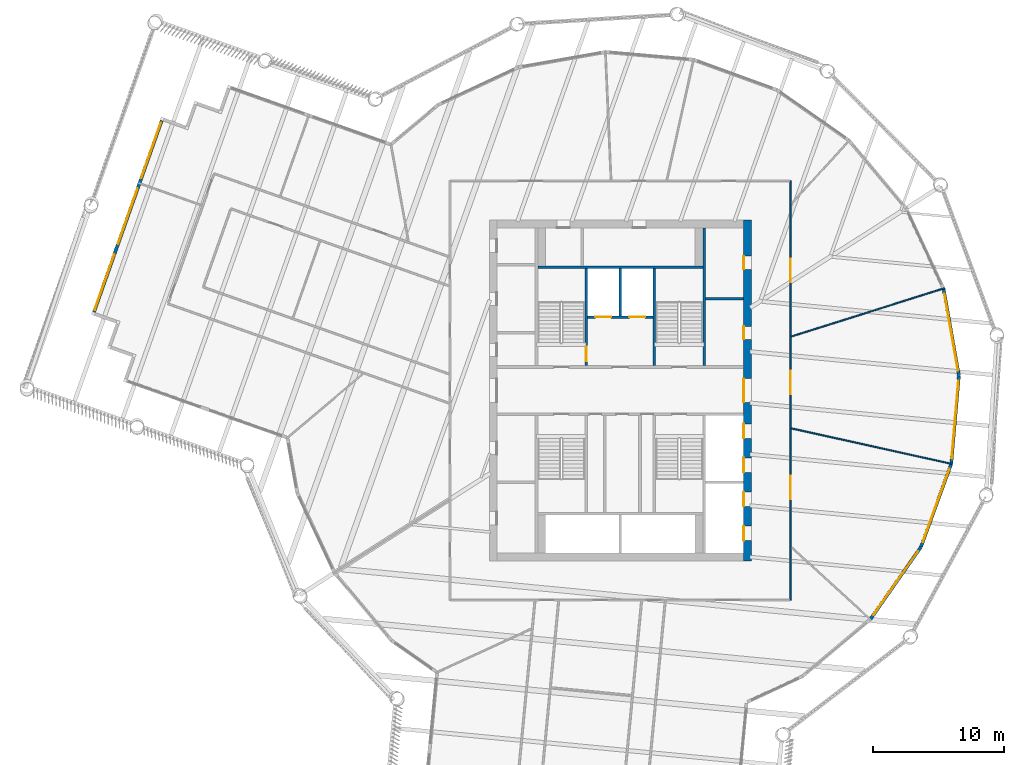
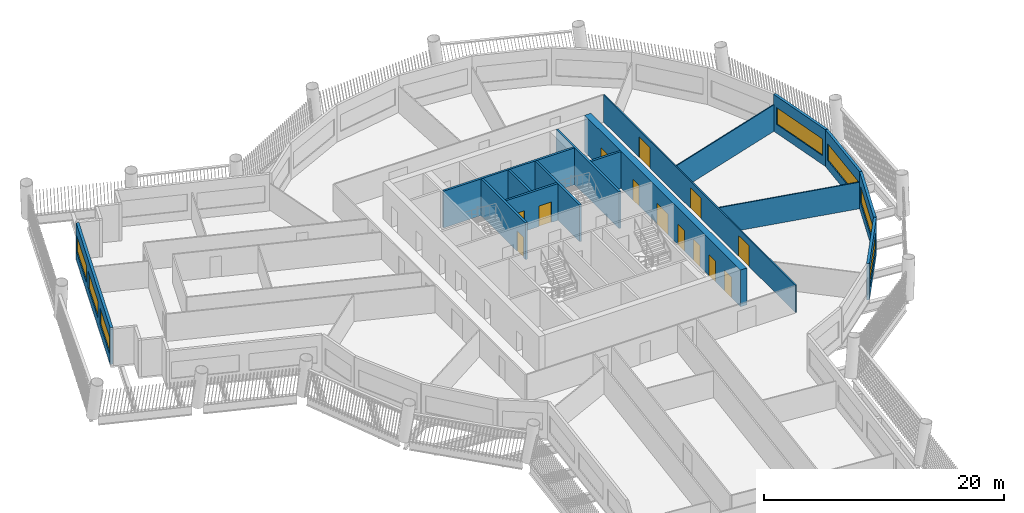
# One storey, part 5 of 15: 16 walls, 13 doors, 7 windows, 20 openings.
"""IFC4 building model written with IfcOpenShell, lengths in metres."""

import ifcopenshell
import ifcopenshell.guid

model = None  # the IFC model being written
_history = None  # IfcOwnerHistory: only IFC2X3 demands one
_inside = {}  # id of a spatial element -> (the spatial element, [elements in it])
_under = {}  # id of a project, library or spatial element -> (it, [spatial elements below it])
_declared = {}  # id of a project -> (the project, [libraries it declares])
_typed = {}  # id of a type object -> (the type object, [elements of that type])
_made_of = {}  # id of a material, layer set ... -> (it, [elements and type objects made of it])


def new_model(schema):
    """Start an empty IFC model of exactly this schema.

    Asked for "IFC4X3", IfcOpenShell would pick the latest addendum, in which some entities
    have other attributes; the version numbers below select the first issue.
    IFC2X3 requires an IfcOwnerHistory on every rooted entity: one is made here for all.
    """
    global model, _history
    if schema == "IFC4X3":
        model = ifcopenshell.file(schema_version=(4, 3, 0, 0))
    else:
        model = ifcopenshell.file(schema=schema)
    _inside.clear()
    _under.clear()
    _declared.clear()
    _typed.clear()
    _made_of.clear()
    _history = None
    if model.schema == "IFC2X3":
        org = make("IfcOrganization", Name="unknown")
        user = make(
            "IfcPersonAndOrganization",
            ThePerson=make("IfcPerson", FamilyName="unknown"),
            TheOrganization=org,
        )
        app = make(
            "IfcApplication",
            ApplicationDeveloper=org,
            Version="unknown",
            ApplicationFullName="unknown",
            ApplicationIdentifier="unknown",
        )
        _history = make(
            "IfcOwnerHistory",
            OwningUser=user,
            OwningApplication=app,
            ChangeAction="ADDED",
            CreationDate=0,
        )
    return model


def make(cls, **values):
    """One entity of the class cls with the attributes given. An attribute that is None is left unset."""
    return model.create_entity(
        cls, **{name: value for name, value in values.items() if value is not None}
    )


def rooted(cls, **values):
    """An entity with a GlobalId (a new one), such as an element, a storey or a relation."""
    return make(cls, GlobalId=ifcopenshell.guid.new(), OwnerHistory=_history, **values)


def si_unit(unit_type, name, prefix=None):
    """IfcSIUnit, for example si_unit("LENGTHUNIT", "METRE", prefix="MILLI")."""
    return make("IfcSIUnit", UnitType=unit_type, Prefix=prefix, Name=name)


def assignment(units):
    """IfcUnitAssignment: the units of a project."""
    return None if units is None else make("IfcUnitAssignment", Units=units)


def point(xyz):
    """IfcCartesianPoint."""
    return None if xyz is None else make("IfcCartesianPoint", Coordinates=xyz)


def direction(xyz):
    """IfcDirection."""
    return None if xyz is None else make("IfcDirection", DirectionRatios=xyz)


def frame(location, z_axis=None, x_axis=None):
    """IfcAxis2Placement3D, a coordinate frame: its origin and axes. An axis left out is left unset."""
    return make(
        "IfcAxis2Placement3D",
        Location=point(location),
        Axis=direction(z_axis),
        RefDirection=direction(x_axis),
    )


def frame_2d(location, x_axis=None):
    """IfcAxis2Placement2D, a coordinate frame in the plane: its origin and x axis."""
    return make(
        "IfcAxis2Placement2D", Location=point(location), RefDirection=direction(x_axis)
    )


def origin():
    """The frame at (0, 0, 0) with its axes left unset."""
    return frame((0.0, 0.0, 0.0))


def place(relative_to, where):
    """IfcLocalPlacement: puts the frame where relative to a parent placement (None: the world)."""
    return make(
        "IfcLocalPlacement", PlacementRelTo=relative_to, RelativePlacement=where
    )


def context(
    kind, dimensions, precision=None, world=None, true_north=None, identifier=None
):
    """IfcGeometricRepresentationContext, for example the 3D "Model" context."""
    return make(
        "IfcGeometricRepresentationContext",
        ContextIdentifier=identifier,
        ContextType=kind,
        CoordinateSpaceDimension=dimensions,
        Precision=precision,
        WorldCoordinateSystem=world,
        TrueNorth=true_north,
    )


def subcontext(parent, identifier, kind, view, scale=None):
    """IfcGeometricRepresentationSubContext, for example "Body" below "Model"."""
    return make(
        "IfcGeometricRepresentationSubContext",
        ContextIdentifier=identifier,
        ContextType=kind,
        ParentContext=parent,
        TargetScale=scale,
        TargetView=view,
    )


def project(units=None, contexts=None):
    """IfcProject with its units and contexts."""
    return rooted(
        "IfcProject",
        Name="project",
        RepresentationContexts=contexts,
        UnitsInContext=assignment(units),
    )


def spatial(cls, under=None, at=None, **own):
    """A site, building, storey or space (cls), placed at a placement, below another one or the project."""
    s = rooted(cls, ObjectPlacement=at, **own)
    if under is not None:
        _under.setdefault(under.id(), (under, []))[1].append(s)
    return s


def profile(cls, at=None, kind="AREA", **sizes):
    """A parametric profile (cls). Its sizes go by their IFC names, for example OverallWidth=200.0."""
    return make(cls, ProfileType=kind, Position=at, **sizes)


def rectangle(**sizes):
    """IfcRectangleProfileDef."""
    return profile("IfcRectangleProfileDef", **sizes)


def extrude(swept, where, along, depth):
    """IfcExtrudedAreaSolid: the profile swept, set in the frame where, extruded along a direction by depth."""
    return make(
        "IfcExtrudedAreaSolid",
        SweptArea=swept,
        Position=where,
        ExtrudedDirection=direction(along),
        Depth=depth,
    )


def shape(context_of_items, identifier, shape_type, items):
    """IfcShapeRepresentation: the items that make up one representation, for example the "Body"."""
    return make(
        "IfcShapeRepresentation",
        ContextOfItems=context_of_items,
        RepresentationIdentifier=identifier,
        RepresentationType=shape_type,
        Items=items,
    )


def material(Name=None, Category=None):
    """IfcMaterial."""
    return make("IfcMaterial", Name=Name, Category=Category)


def layer(
    of_material, thickness, ventilated=None, Name=None, Category=None, Priority=None
):
    """IfcMaterialLayer: one layer of a wall or slab, of a material (None: an air gap)."""
    return make(
        "IfcMaterialLayer",
        Material=of_material,
        LayerThickness=thickness,
        IsVentilated=ventilated,
        Name=Name,
        Category=Category,
        Priority=Priority,
    )


def layer_set(layers, Name=None):
    """IfcMaterialLayerSet."""
    return make("IfcMaterialLayerSet", MaterialLayers=layers, LayerSetName=Name)


def made_of(thing, what):
    """Note that an element or type object is made of a material, layer set ...; save() writes the relation."""
    if what is not None:
        _made_of.setdefault(what.id(), (what, []))[1].append(thing)
    return thing


def type_object(cls, material=None, **own):
    """A type object (cls), such as IfcWallType, which elements share."""
    return made_of(rooted(cls, **own), material)


def element(
    cls,
    number,
    at=None,
    inside=None,
    cuts=None,
    type_object=None,
    material=None,
    context=None,
    identifier="Body",
    shape_type=None,
    held_by="IfcProductDefinitionShape",
    body=None,
    shapes=None,
    **own,
):
    """One element of the class cls, such as IfcWall. Its Tag is "e" and its number.

    at: its placement. inside: the storey or other place that contains it. cuts: it is an
    opening in that element (IfcRelVoidsElement). A single representation is given by context,
    identifier, shape_type and body (its items); several are given by shapes. held_by: the class
    of the entity that holds the representations. save() writes the other relations.
    """
    e = rooted(cls, Tag="e%d" % number, ObjectPlacement=at, **own)
    if body is not None:
        shapes = [shape(context, identifier, shape_type, body)]
    if shapes is not None:
        e.Representation = make(held_by, Representations=shapes)
    if inside is not None:
        _inside.setdefault(inside.id(), (inside, []))[1].append(e)
    if cuts is not None:
        rooted(
            "IfcRelVoidsElement", RelatingBuildingElement=cuts, RelatedOpeningElement=e
        )
    if type_object is not None:
        _typed.setdefault(type_object.id(), (type_object, []))[1].append(e)
    return made_of(e, material)


def fill(opening, filler):
    """IfcRelFillsElement: the door or window that sits in an opening."""
    return rooted(
        "IfcRelFillsElement",
        RelatingOpeningElement=opening,
        RelatedBuildingElement=filler,
    )


def aggregate(whole, parts):
    """IfcRelAggregates: a whole, such as a stair, and the parts it consists of."""
    return rooted("IfcRelAggregates", RelatingObject=whole, RelatedObjects=parts)


def save(model, path):
    """Write the relations noted so far, then the file.

    IfcRelAggregates (storeys below a building ...), IfcRelContainedInSpatialStructure (elements
    in a storey), IfcRelDefinesByType, IfcRelAssociatesMaterial and IfcRelDeclares: one each for
    every whole, place, type object, material and project.
    """
    for whole, parts in _under.values():
        aggregate(whole, parts)
    for where, things in _inside.values():
        rooted(
            "IfcRelContainedInSpatialStructure",
            RelatedElements=things,
            RelatingStructure=where,
        )
    for kind, things in _typed.values():
        rooted("IfcRelDefinesByType", RelatedObjects=things, RelatingType=kind)
    for what, things in _made_of.values():
        rooted("IfcRelAssociatesMaterial", RelatedObjects=things, RelatingMaterial=what)
    for by, libraries in _declared.values():
        rooted("IfcRelDeclares", RelatingContext=by, RelatedDefinitions=libraries)
    model.write(path)


model = new_model("IFC4")

# Units and contexts
model_context = context("Model", 3, precision=1e-05, world=origin(), true_north=direction((0.0, 1.0)))
body_context = subcontext(model_context, "Body", "Model", "MODEL_VIEW")
ifc_project = project(units=[si_unit("LENGTHUNIT", "METRE"), si_unit("AREAUNIT", "SQUARE_METRE"), si_unit("VOLUMEUNIT", "CUBIC_METRE"), si_unit("PLANEANGLEUNIT", "RADIAN"), si_unit("MASSUNIT", "GRAM", prefix="KILO")], contexts=[model_context])

# Site, building, storey
site_placement = place(None, origin())
site = spatial("IfcSite", under=ifc_project, at=site_placement, CompositionType="ELEMENT")
building_placement = place(site_placement, origin())
building = spatial("IfcBuilding", under=site, at=building_placement, Name="Tarsis Ring Headquarters", CompositionType="ELEMENT")
storey_placement = place(building_placement, frame((0.0, 0.0, 204.300048828125)))
storey = spatial("IfcBuildingStorey", under=building, at=storey_placement, Name="L47", CompositionType="ELEMENT", Elevation=204.300048828125)

# Wall
ifc_material_1 = material(Name="Blockwork", Category="masonry")
ifc_layer_1 = layer(ifc_material_1, 0.199951171875)
ifc_layer_set_1 = layer_set([ifc_layer_1], Name="Core blockwork wall 200")
wall_type_1 = type_object("IfcWallType", Name="Core blockwork wall 200", PredefinedType="PARTITIONING", material=ifc_layer_set_1)
wall_1_placement = place(storey_placement, frame((6.5, 7.0, 0.0), z_axis=(0.0, 0.0, 1.0), x_axis=(1.0, 0.0, 0.0)))
element("IfcWall", 1, at=wall_1_placement, inside=storey, type_object=wall_type_1, Name="Core partition ED6", PredefinedType="PARTITIONING", context=body_context, shape_type="SweptSolid", body=[
    extrude(rectangle(XDim=2.89990234375, YDim=0.199951171875, at=frame_2d((1.449951171875, 0.0))), origin(), (0.0, 0.0, 1.0), 3.739990234375),
])

# Wall, openings, doors
ifc_material_2 = material(Name="Concrete C50/60", Category="concrete")
ifc_layer_2 = layer(ifc_material_2, 0.60009765625)
ifc_layer_set_2 = layer_set([ifc_layer_2], Name="Core wall 600 C50/60")
wall_type_2 = type_object("IfcWallType", Name="Core wall 600 C50/60", PredefinedType="SHEAR", material=ifc_layer_set_2)
wall_2_placement = place(storey_placement, frame((9.699951171875, -13.0, 0.0), z_axis=(0.0, 0.0, 1.0), x_axis=(0.0, 1.0, 0.0)))
wall_2 = element("IfcWall", 2, at=wall_2_placement, inside=storey, type_object=wall_type_2, Name="Core wall OE", PredefinedType="SHEAR", context=body_context, shape_type="SweptSolid", body=[
    extrude(rectangle(XDim=26.0, YDim=0.60009765625, at=frame_2d((13.0, 0.0))), origin(), (0.0, 0.0, 1.0), 3.739990234375),
])
opening_1_placement = place(wall_2_placement, frame((1.550048828125, 0.0, 0.0)))
opening_1 = element("IfcOpeningElement", 3, at=opening_1_placement, cuts=wall_2, Name="Opening LD-MR1", PredefinedType="OPENING", context=body_context, shape_type="SweptSolid", body=[
    extrude(rectangle(XDim=1.10009765625, YDim=2.10009765625, at=frame_2d((0.550048828125, 1.050048828125))), frame((0.0, 0.31005859375, 0.0), z_axis=(0.0, -1.0, 0.0), x_axis=(1.0, 0.0, 0.0)), (0.0, 0.0, 1.0), 0.6201171875),
])
opening_2_placement = place(wall_2_placement, frame((4.14990234375, 0.0, 0.0)))
opening_2 = element("IfcOpeningElement", 4, at=opening_2_placement, cuts=wall_2, Name="Opening LD-MR2", PredefinedType="OPENING", context=body_context, shape_type="SweptSolid", body=[
    extrude(rectangle(XDim=1.10009765625, YDim=2.10009765625, at=frame_2d((0.550048828125, 1.050048828125))), frame((0.0, 0.31005859375, 0.0), z_axis=(0.0, -1.0, 0.0), x_axis=(1.0, 0.0, 0.0)), (0.0, 0.0, 1.0), 0.6201171875),
])
opening_3_placement = place(wall_2_placement, frame((6.75, 0.0, 0.0)))
opening_3 = element("IfcOpeningElement", 5, at=opening_3_placement, cuts=wall_2, Name="Opening LD-MR3", PredefinedType="OPENING", context=body_context, shape_type="SweptSolid", body=[
    extrude(rectangle(XDim=1.10009765625, YDim=2.10009765625, at=frame_2d((0.550048828125, 1.050048828125))), frame((0.0, 0.31005859375, 0.0), z_axis=(0.0, -1.0, 0.0), x_axis=(1.0, 0.0, 0.0)), (0.0, 0.0, 1.0), 0.6201171875),
])
opening_4_placement = place(wall_2_placement, frame((9.35009765625, 0.0, 0.0)))
opening_4 = element("IfcOpeningElement", 6, at=opening_4_placement, cuts=wall_2, Name="Opening LD-MR4", PredefinedType="OPENING", context=body_context, shape_type="SweptSolid", body=[
    extrude(rectangle(XDim=1.10009765625, YDim=2.10009765625, at=frame_2d((0.550048828125, 1.050048828125))), frame((0.0, 0.31005859375, 0.0), z_axis=(0.0, -1.0, 0.0), x_axis=(1.0, 0.0, 0.0)), (0.0, 0.0, 1.0), 0.6201171875),
])
opening_5_placement = place(wall_2_placement, frame((12.10009765625, 0.0, 0.0)))
opening_5 = element("IfcOpeningElement", 7, at=opening_5_placement, cuts=wall_2, Name="Opening L47-C11", PredefinedType="OPENING", context=body_context, shape_type="SweptSolid", body=[
    extrude(rectangle(XDim=1.800048828125, YDim=2.10009765625, at=frame_2d((0.89990234375, 1.050048828125))), frame((0.0, 0.31005859375, 0.0), z_axis=(0.0, -1.0, 0.0), x_axis=(1.0, 0.0, 0.0)), (0.0, 0.0, 1.0), 0.6201171875),
])
opening_6_placement = place(wall_2_placement, frame((16.89990234375, 0.0, 0.0)))
opening_6 = element("IfcOpeningElement", 8, at=opening_6_placement, cuts=wall_2, Name="Opening L47-C12", PredefinedType="OPENING", context=body_context, shape_type="SweptSolid", body=[
    extrude(rectangle(XDim=1.0, YDim=2.10009765625, at=frame_2d((0.5, 1.050048828125))), frame((0.0, 0.31005859375, 0.0), z_axis=(0.0, -1.0, 0.0), x_axis=(1.0, 0.0, 0.0)), (0.0, 0.0, 1.0), 0.6201171875),
])
opening_7_placement = place(wall_2_placement, frame((22.25, 0.0, 0.0)))
opening_7 = element("IfcOpeningElement", 9, at=opening_7_placement, cuts=wall_2, Name="Opening L47-C13", PredefinedType="OPENING", context=body_context, shape_type="SweptSolid", body=[
    extrude(rectangle(XDim=1.0, YDim=2.10009765625, at=frame_2d((0.5, 1.050048828125))), frame((0.0, 0.31005859375, 0.0), z_axis=(0.0, -1.0, 0.0), x_axis=(1.0, 0.0, 0.0)), (0.0, 0.0, 1.0), 0.6201171875),
])
ifc_material_3 = material(Name="Steel S355", Category="steel")
door_type_1 = type_object("IfcDoorType", Name="Core entry door 1800x2100", OperationType="DOUBLE_DOOR_SINGLE_SWING", PredefinedType="DOOR", material=ifc_material_3)
door_1_placement = place(opening_5_placement, origin())
door_1 = element("IfcDoor", 10, at=door_1_placement, inside=storey, type_object=door_type_1, Name="Core entry door L47", OperationType="DOUBLE_DOOR_SINGLE_SWING", OverallHeight=2.10009765625, OverallWidth=1.800048828125, PredefinedType="DOOR", context=body_context, shape_type="SweptSolid", body=[
    extrude(rectangle(XDim=1.800048828125, YDim=2.10009765625, at=frame_2d((0.89990234375, 1.050048828125))), frame((0.0, 0.2998046875, 0.0), z_axis=(0.0, -1.0, 0.0), x_axis=(1.0, 0.0, 0.0)), (0.0, 0.0, 1.0), 0.050048828125),
])
fill(opening_5, door_1)
door_type_2 = type_object("IfcDoorType", Name="Core room door 1000x2100", OperationType="SINGLE_SWING_LEFT", PredefinedType="DOOR", material=ifc_material_3)
door_2_placement = place(opening_6_placement, origin())
door_2 = element("IfcDoor", 11, at=door_2_placement, inside=storey, type_object=door_type_2, Name="Core room door L47", OperationType="SINGLE_SWING_LEFT", OverallHeight=2.10009765625, OverallWidth=1.0, PredefinedType="DOOR", context=body_context, shape_type="SweptSolid", body=[
    extrude(rectangle(XDim=1.0, YDim=2.10009765625, at=frame_2d((0.5, 1.050048828125))), frame((0.0, 0.2998046875, 0.0), z_axis=(0.0, -1.0, 0.0), x_axis=(1.0, 0.0, 0.0)), (0.0, 0.0, 1.0), 0.050048828125),
])
fill(opening_6, door_2)
door_3_placement = place(opening_7_placement, origin())
door_3 = element("IfcDoor", 12, at=door_3_placement, inside=storey, type_object=door_type_2, Name="Core room door L47", OperationType="SINGLE_SWING_LEFT", OverallHeight=2.10009765625, OverallWidth=1.0, PredefinedType="DOOR", context=body_context, shape_type="SweptSolid", body=[
    extrude(rectangle(XDim=1.0, YDim=2.10009765625, at=frame_2d((0.5, 1.050048828125))), frame((0.0, 0.2998046875, 0.0), z_axis=(0.0, -1.0, 0.0), x_axis=(1.0, 0.0, 0.0)), (0.0, 0.0, 1.0), 0.050048828125),
])
fill(opening_7, door_3)
door_type_3 = type_object("IfcDoorType", Name="Landing door 1100x2100", OperationType="SLIDING_TO_LEFT", PredefinedType="DOOR", material=ifc_material_3)
door_4_placement = place(opening_1_placement, origin())
door_4 = element("IfcDoor", 13, at=door_4_placement, inside=storey, type_object=door_type_3, Name="Landing door MR1 L47", OperationType="SLIDING_TO_LEFT", OverallHeight=2.10009765625, OverallWidth=1.10009765625, PredefinedType="DOOR", context=body_context, shape_type="SweptSolid", body=[
    extrude(rectangle(XDim=1.10009765625, YDim=2.10009765625, at=frame_2d((0.550048828125, 1.050048828125))), frame((0.0, 0.2998046875, 0.0), z_axis=(0.0, -1.0, 0.0), x_axis=(1.0, 0.0, 0.0)), (0.0, 0.0, 1.0), 0.050048828125),
])
fill(opening_1, door_4)
door_5_placement = place(opening_2_placement, origin())
door_5 = element("IfcDoor", 14, at=door_5_placement, inside=storey, type_object=door_type_3, Name="Landing door MR2 L47", OperationType="SLIDING_TO_LEFT", OverallHeight=2.10009765625, OverallWidth=1.10009765625, PredefinedType="DOOR", context=body_context, shape_type="SweptSolid", body=[
    extrude(rectangle(XDim=1.10009765625, YDim=2.10009765625, at=frame_2d((0.550048828125, 1.050048828125))), frame((0.0, 0.2998046875, 0.0), z_axis=(0.0, -1.0, 0.0), x_axis=(1.0, 0.0, 0.0)), (0.0, 0.0, 1.0), 0.050048828125),
])
fill(opening_2, door_5)
door_6_placement = place(opening_3_placement, origin())
door_6 = element("IfcDoor", 15, at=door_6_placement, inside=storey, type_object=door_type_3, Name="Landing door MR3 L47", OperationType="SLIDING_TO_LEFT", OverallHeight=2.10009765625, OverallWidth=1.10009765625, PredefinedType="DOOR", context=body_context, shape_type="SweptSolid", body=[
    extrude(rectangle(XDim=1.10009765625, YDim=2.10009765625, at=frame_2d((0.550048828125, 1.050048828125))), frame((0.0, 0.2998046875, 0.0), z_axis=(0.0, -1.0, 0.0), x_axis=(1.0, 0.0, 0.0)), (0.0, 0.0, 1.0), 0.050048828125),
])
fill(opening_3, door_6)
door_7_placement = place(opening_4_placement, origin())
door_7 = element("IfcDoor", 16, at=door_7_placement, inside=storey, type_object=door_type_3, Name="Landing door MR4 L47", OperationType="SLIDING_TO_LEFT", OverallHeight=2.10009765625, OverallWidth=1.10009765625, PredefinedType="DOOR", context=body_context, shape_type="SweptSolid", body=[
    extrude(rectangle(XDim=1.10009765625, YDim=2.10009765625, at=frame_2d((0.550048828125, 1.050048828125))), frame((0.0, 0.2998046875, 0.0), z_axis=(0.0, -1.0, 0.0), x_axis=(1.0, 0.0, 0.0)), (0.0, 0.0, 1.0), 0.050048828125),
])
fill(opening_4, door_7)

# Walls
ifc_material_4 = material(Name="Gypsum board on steel studs", Category="steel")
ifc_layer_3 = layer(ifc_material_4, 0.10009765625)
ifc_layer_set_3 = layer_set([ifc_layer_3], Name="FL partition 100 unrated")
wall_type_3 = type_object("IfcWallType", Name="FL partition 100 unrated", PredefinedType="PARTITIONING", material=ifc_layer_set_3)
wall_3_placement = place(storey_placement, frame((13.068359375, -2.892333984375, 0.0), z_axis=(0.0, 0.0, 1.0), x_axis=(0.976368244752, -0.216113513323, 0.0)))
element("IfcWall", 17, at=wall_3_placement, inside=storey, type_object=wall_type_3, Name="Partition PW3", PredefinedType="PARTITIONING", context=body_context, shape_type="SweptSolid", body=[
    extrude(rectangle(XDim=12.563232421875, YDim=0.10009765625, at=frame_2d((6.28173828125, 0.0))), origin(), (0.0, 0.0, 1.0), 2.699951171875),
])
wall_4_placement = place(storey_placement, frame((13.076416015625, 4.1279296875, 0.0), z_axis=(0.0, 0.0, 1.0), x_axis=(0.953610706854, 0.301042554755, 0.0)))
element("IfcWall", 18, at=wall_4_placement, inside=storey, type_object=wall_type_3, Name="Partition PW3", PredefinedType="PARTITIONING", context=body_context, shape_type="SweptSolid", body=[
    extrude(rectangle(XDim=12.2353515625, YDim=0.10009765625, at=frame_2d((6.11767578125, 0.0))), origin(), (0.0, 0.0, 1.0), 2.699951171875),
])

# Wall, openings, doors
ifc_layer_4 = layer(ifc_material_4, 0.125)
ifc_layer_set_4 = layer_set([ifc_layer_4], Name="FL partition 125 EI 60 H2770")
wall_type_4 = type_object("IfcWallType", Name="FL partition 125 EI 60 H2770", PredefinedType="PARTITIONING", material=ifc_layer_set_4)
wall_5_placement = place(storey_placement, frame((13.0, -16.0, 0.0), z_axis=(0.0, 0.0, 1.0), x_axis=(0.0, 1.0, 0.0)))
wall_5 = element("IfcWall", 19, at=wall_5_placement, inside=storey, type_object=wall_type_4, Name="Partition PW1", PredefinedType="PARTITIONING", context=body_context, shape_type="SweptSolid", body=[
    extrude(rectangle(XDim=32.0, YDim=0.125, at=frame_2d((16.0, 0.0))), origin(), (0.0, 0.0, 1.0), 2.77001953125),
])
opening_8_placement = place(wall_5_placement, frame((24.25048828125, 0.0, 0.0)))
opening_8 = element("IfcOpeningElement", 20, at=opening_8_placement, cuts=wall_5, Name="Opening D47.07", PredefinedType="OPENING", context=body_context, shape_type="SweptSolid", body=[
    extrude(rectangle(XDim=1.800048828125, YDim=2.10009765625, at=frame_2d((0.89990234375, 1.050048828125))), frame((0.0, 0.072509765625, 0.0), z_axis=(0.0, -1.0, 0.0), x_axis=(1.0, 0.0, 0.0)), (0.0, 0.0, 1.0), 0.14501953125),
])
opening_9_placement = place(wall_5_placement, frame((15.71337890625, 0.0, 0.0)))
opening_9 = element("IfcOpeningElement", 21, at=opening_9_placement, cuts=wall_5, Name="Opening D47.08", PredefinedType="OPENING", context=body_context, shape_type="SweptSolid", body=[
    extrude(rectangle(XDim=1.800048828125, YDim=2.10009765625, at=frame_2d((0.89990234375, 1.050048828125))), frame((0.0, 0.072509765625, 0.0), z_axis=(0.0, -1.0, 0.0), x_axis=(1.0, 0.0, 0.0)), (0.0, 0.0, 1.0), 0.14501953125),
])
opening_10_placement = place(wall_5_placement, frame((7.70947265625, 0.0, 0.0)))
opening_10 = element("IfcOpeningElement", 22, at=opening_10_placement, cuts=wall_5, Name="Opening D47.09", PredefinedType="OPENING", context=body_context, shape_type="SweptSolid", body=[
    extrude(rectangle(XDim=1.800048828125, YDim=2.10009765625, at=frame_2d((0.89990234375, 1.050048828125))), frame((0.0, 0.072509765625, 0.0), z_axis=(0.0, -1.0, 0.0), x_axis=(1.0, 0.0, 0.0)), (0.0, 0.0, 1.0), 0.14501953125),
])
ifc_material_5 = material(Name="Fire-rated timber door leaf in steel frame", Category="steel")
door_type_4 = type_object("IfcDoorType", Name="FL door FD60-1800", OperationType="DOUBLE_DOOR_SINGLE_SWING", PredefinedType="DOOR", material=ifc_material_5)
door_8_placement = place(opening_8_placement, origin())
door_8 = element("IfcDoor", 23, at=door_8_placement, inside=storey, type_object=door_type_4, Name="Door D47.07", OperationType="DOUBLE_DOOR_SINGLE_SWING", OverallHeight=2.10009765625, OverallWidth=1.800048828125, PredefinedType="DOOR", context=body_context, shape_type="SweptSolid", body=[
    extrude(rectangle(XDim=1.800048828125, YDim=2.10009765625, at=frame_2d((0.89990234375, 1.050048828125))), frame((0.0, 0.02490234375, 0.0), z_axis=(0.0, -1.0, 0.0), x_axis=(1.0, 0.0, 0.0)), (0.0, 0.0, 1.0), 0.050048828125),
])
fill(opening_8, door_8)
door_9_placement = place(opening_9_placement, origin())
door_9 = element("IfcDoor", 24, at=door_9_placement, inside=storey, type_object=door_type_4, Name="Door D47.08", OperationType="DOUBLE_DOOR_SINGLE_SWING", OverallHeight=2.10009765625, OverallWidth=1.800048828125, PredefinedType="DOOR", context=body_context, shape_type="SweptSolid", body=[
    extrude(rectangle(XDim=1.800048828125, YDim=2.10009765625, at=frame_2d((0.89990234375, 1.050048828125))), frame((0.0, 0.02490234375, 0.0), z_axis=(0.0, -1.0, 0.0), x_axis=(1.0, 0.0, 0.0)), (0.0, 0.0, 1.0), 0.050048828125),
])
fill(opening_9, door_9)
door_10_placement = place(opening_10_placement, origin())
door_10 = element("IfcDoor", 25, at=door_10_placement, inside=storey, type_object=door_type_4, Name="Door D47.09", OperationType="DOUBLE_DOOR_SINGLE_SWING", OverallHeight=2.10009765625, OverallWidth=1.800048828125, PredefinedType="DOOR", context=body_context, shape_type="SweptSolid", body=[
    extrude(rectangle(XDim=1.800048828125, YDim=2.10009765625, at=frame_2d((0.89990234375, 1.050048828125))), frame((0.0, 0.02490234375, 0.0), z_axis=(0.0, -1.0, 0.0), x_axis=(1.0, 0.0, 0.0)), (0.0, 0.0, 1.0), 0.050048828125),
])
fill(opening_10, door_10)

# Wall, opening, window
ifc_material_6 = material(Name="Terracotta clad insulated panel wall", Category="masonry")
ifc_layer_5 = layer(ifc_material_6, 0.25)
ifc_layer_set_5 = layer_set([ifc_layer_5], Name="Facade wall terracotta panel 250")
wall_type_5 = type_object("IfcWallType", Name="Facade wall terracotta panel 250", PredefinedType="STANDARD", material=ifc_layer_set_5)
wall_6_placement = place(storey_placement, frame((19.091796875, -17.4599609375, 0.0), z_axis=(0.0, 0.0, 1.0), x_axis=(0.573277060881, 0.819361587743, 0.0)))
wall_6 = element("IfcWall", 26, at=wall_6_placement, inside=storey, type_object=wall_type_5, Name="External wall L47-19", PredefinedType="STANDARD", context=body_context, shape_type="SweptSolid", body=[
    extrude(rectangle(XDim=6.721435546875, YDim=0.25, at=frame_2d((3.36083984375, 0.0))), origin(), (0.0, 0.0, 1.0), 3.739990234375),
])
opening_11_placement = place(wall_6_placement, frame((0.3857421875, 0.0, 0.89990234375)))
opening_11 = element("IfcOpeningElement", 27, at=opening_11_placement, cuts=wall_6, Name="Opening WN07", PredefinedType="OPENING", context=body_context, shape_type="SweptSolid", body=[
    extrude(rectangle(XDim=5.949951171875, YDim=1.699951171875, at=frame_2d((2.97509765625, 0.85009765625))), frame((0.0, 0.135009765625, 0.0), z_axis=(0.0, -1.0, 0.0), x_axis=(1.0, 0.0, 0.0)), (0.0, 0.0, 1.0), 0.27001953125),
])
ifc_material_7 = material(Name="Aluminium framed double glazing", Category="aluminium")
window_type_1 = type_object("IfcWindowType", Name="Facade window 5950 x 1700", PartitioningType="SINGLE_PANEL", PredefinedType="WINDOW", material=ifc_material_7)
window_1_placement = place(opening_11_placement, origin())
window_1 = element("IfcWindow", 28, at=window_1_placement, inside=storey, type_object=window_type_1, Name="Window L47-19.1", OverallHeight=1.699951171875, OverallWidth=5.949951171875, PartitioningType="SINGLE_PANEL", PredefinedType="WINDOW", context=body_context, shape_type="SweptSolid", body=[
    extrude(rectangle(XDim=5.949951171875, YDim=1.699951171875, at=frame_2d((2.97509765625, 0.85009765625))), frame((0.0, 0.030029296875, 0.0), z_axis=(0.0, -1.0, 0.0), x_axis=(1.0, 0.0, 0.0)), (0.0, 0.0, 1.0), 0.06005859375),
])
fill(opening_11, window_1)

wall_7_placement = place(storey_placement, frame((22.960205078125, -11.923828125, 0.0), z_axis=(0.0, 0.0, 1.0), x_axis=(0.341675986817, 0.939817812149, 0.0)))
wall_7 = element("IfcWall", 29, at=wall_7_placement, inside=storey, type_object=wall_type_5, Name="External wall L47-20", PredefinedType="STANDARD", context=body_context, shape_type="SweptSolid", body=[
    extrude(rectangle(XDim=6.7216796875, YDim=0.25, at=frame_2d((3.36083984375, 0.0))), origin(), (0.0, 0.0, 1.0), 3.739990234375),
])
opening_12_placement = place(wall_7_placement, frame((0.3857421875, 0.0, 0.89990234375)))
opening_12 = element("IfcOpeningElement", 30, at=opening_12_placement, cuts=wall_7, Name="Opening WN07", PredefinedType="OPENING", context=body_context, shape_type="SweptSolid", body=[
    extrude(rectangle(XDim=5.949951171875, YDim=1.699951171875, at=frame_2d((2.97509765625, 0.85009765625))), frame((0.0, 0.135009765625, 0.0), z_axis=(0.0, -1.0, 0.0), x_axis=(1.0, 0.0, 0.0)), (0.0, 0.0, 1.0), 0.27001953125),
])
window_2_placement = place(opening_12_placement, origin())
window_2 = element("IfcWindow", 31, at=window_2_placement, inside=storey, type_object=window_type_1, Name="Window L47-20.1", OverallHeight=1.699951171875, OverallWidth=5.949951171875, PartitioningType="SINGLE_PANEL", PredefinedType="WINDOW", context=body_context, shape_type="SweptSolid", body=[
    extrude(rectangle(XDim=5.949951171875, YDim=1.699951171875, at=frame_2d((2.97509765625, 0.85009765625))), frame((0.0, 0.030029296875, 0.0), z_axis=(0.0, -1.0, 0.0), x_axis=(1.0, 0.0, 0.0)), (0.0, 0.0, 1.0), 0.06005859375),
])
fill(opening_12, window_2)

wall_8_placement = place(storey_placement, frame((25.263916015625, -5.574951171875, 0.0), z_axis=(0.0, 0.0, 1.0), x_axis=(0.086808292028, 0.996225035037, 0.0)))
wall_8 = element("IfcWall", 32, at=wall_8_placement, inside=storey, type_object=wall_type_5, Name="External wall L47-21", PredefinedType="STANDARD", context=body_context, shape_type="SweptSolid", body=[
    extrude(rectangle(XDim=6.7216796875, YDim=0.25, at=frame_2d((3.36083984375, 0.0))), origin(), (0.0, 0.0, 1.0), 3.739990234375),
])
opening_13_placement = place(wall_8_placement, frame((0.3857421875, 0.0, 0.89990234375)))
opening_13 = element("IfcOpeningElement", 33, at=opening_13_placement, cuts=wall_8, Name="Opening WN07", PredefinedType="OPENING", context=body_context, shape_type="SweptSolid", body=[
    extrude(rectangle(XDim=5.949951171875, YDim=1.699951171875, at=frame_2d((2.97509765625, 0.85009765625))), frame((0.0, 0.135009765625, 0.0), z_axis=(0.0, -1.0, 0.0), x_axis=(1.0, 0.0, 0.0)), (0.0, 0.0, 1.0), 0.27001953125),
])
window_3_placement = place(opening_13_placement, origin())
window_3 = element("IfcWindow", 34, at=window_3_placement, inside=storey, type_object=window_type_1, Name="Window L47-21.1", OverallHeight=1.699951171875, OverallWidth=5.949951171875, PartitioningType="SINGLE_PANEL", PredefinedType="WINDOW", context=body_context, shape_type="SweptSolid", body=[
    extrude(rectangle(XDim=5.949951171875, YDim=1.699951171875, at=frame_2d((2.97509765625, 0.85009765625))), frame((0.0, 0.030029296875, 0.0), z_axis=(0.0, -1.0, 0.0), x_axis=(1.0, 0.0, 0.0)), (0.0, 0.0, 1.0), 0.06005859375),
])
fill(opening_13, window_3)

wall_9_placement = place(storey_placement, frame((25.845947265625, 1.15380859375, 0.0), z_axis=(0.0, 0.0, 1.0), x_axis=(-0.173980101637, 0.984749168182, 0.0)))
wall_9 = element("IfcWall", 35, at=wall_9_placement, inside=storey, type_object=wall_type_5, Name="External wall L47-22", PredefinedType="STANDARD", context=body_context, shape_type="SweptSolid", body=[
    extrude(rectangle(XDim=6.7216796875, YDim=0.25, at=frame_2d((3.36083984375, 0.0))), origin(), (0.0, 0.0, 1.0), 3.739990234375),
])
opening_14_placement = place(wall_9_placement, frame((0.3857421875, 0.0, 0.89990234375)))
opening_14 = element("IfcOpeningElement", 36, at=opening_14_placement, cuts=wall_9, Name="Opening WN07", PredefinedType="OPENING", context=body_context, shape_type="SweptSolid", body=[
    extrude(rectangle(XDim=5.949951171875, YDim=1.699951171875, at=frame_2d((2.97509765625, 0.85009765625))), frame((0.0, 0.135009765625, 0.0), z_axis=(0.0, -1.0, 0.0), x_axis=(1.0, 0.0, 0.0)), (0.0, 0.0, 1.0), 0.27001953125),
])
window_4_placement = place(opening_14_placement, origin())
window_4 = element("IfcWindow", 37, at=window_4_placement, inside=storey, type_object=window_type_1, Name="Window L47-22.1", OverallHeight=1.699951171875, OverallWidth=5.949951171875, PartitioningType="SINGLE_PANEL", PredefinedType="WINDOW", context=body_context, shape_type="SweptSolid", body=[
    extrude(rectangle(XDim=5.949951171875, YDim=1.699951171875, at=frame_2d((2.97509765625, 0.85009765625))), frame((0.0, 0.030029296875, 0.0), z_axis=(0.0, -1.0, 0.0), x_axis=(1.0, 0.0, 0.0)), (0.0, 0.0, 1.0), 0.06005859375),
])
fill(opening_14, window_4)

# Wall, openings, windows
wall_10_placement = place(storey_placement, frame((-35.008056640625, 20.603759765625, 0.0), z_axis=(0.0, 0.0, 1.0), x_axis=(-0.333479153191, -0.94275747379, 0.0)))
wall_10 = element("IfcWall", 38, at=wall_10_placement, inside=storey, type_object=wall_type_5, Name="External wall L47-36", PredefinedType="STANDARD", context=body_context, shape_type="SweptSolid", body=[
    extrude(rectangle(XDim=15.5, YDim=0.25, at=frame_2d((7.75, 0.0))), origin(), (0.0, 0.0, 1.0), 3.739990234375),
])
opening_15_placement = place(wall_10_placement, frame((0.166748046875, 0.0, 0.89990234375)))
opening_15 = element("IfcOpeningElement", 39, at=opening_15_placement, cuts=wall_10, Name="Opening WN04", PredefinedType="OPENING", context=body_context, shape_type="SweptSolid", body=[
    extrude(rectangle(XDim=4.5, YDim=1.699951171875, at=frame_2d((2.25, 0.85009765625))), frame((0.0, 0.135009765625, 0.0), z_axis=(0.0, -1.0, 0.0), x_axis=(1.0, 0.0, 0.0)), (0.0, 0.0, 1.0), 0.27001953125),
])
opening_16_placement = place(wall_10_placement, frame((5.5, 0.0, 0.89990234375)))
opening_16 = element("IfcOpeningElement", 40, at=opening_16_placement, cuts=wall_10, Name="Opening WN04", PredefinedType="OPENING", context=body_context, shape_type="SweptSolid", body=[
    extrude(rectangle(XDim=4.5, YDim=1.699951171875, at=frame_2d((2.25, 0.85009765625))), frame((0.0, 0.135009765625, 0.0), z_axis=(0.0, -1.0, 0.0), x_axis=(1.0, 0.0, 0.0)), (0.0, 0.0, 1.0), 0.27001953125),
])
opening_17_placement = place(wall_10_placement, frame((10.833251953125, 0.0, 0.89990234375)))
opening_17 = element("IfcOpeningElement", 41, at=opening_17_placement, cuts=wall_10, Name="Opening WN04", PredefinedType="OPENING", context=body_context, shape_type="SweptSolid", body=[
    extrude(rectangle(XDim=4.5, YDim=1.699951171875, at=frame_2d((2.25, 0.85009765625))), frame((0.0, 0.135009765625, 0.0), z_axis=(0.0, -1.0, 0.0), x_axis=(1.0, 0.0, 0.0)), (0.0, 0.0, 1.0), 0.27001953125),
])
window_type_2 = type_object("IfcWindowType", Name="Facade window 4500 x 1700", PartitioningType="SINGLE_PANEL", PredefinedType="WINDOW", material=ifc_material_7)
window_5_placement = place(opening_15_placement, origin())
window_5 = element("IfcWindow", 42, at=window_5_placement, inside=storey, type_object=window_type_2, Name="Window L47-36.1", OverallHeight=1.699951171875, OverallWidth=4.5, PartitioningType="SINGLE_PANEL", PredefinedType="WINDOW", context=body_context, shape_type="SweptSolid", body=[
    extrude(rectangle(XDim=4.5, YDim=1.699951171875, at=frame_2d((2.25, 0.85009765625))), frame((0.0, 0.030029296875, 0.0), z_axis=(0.0, -1.0, 0.0), x_axis=(1.0, 0.0, 0.0)), (0.0, 0.0, 1.0), 0.06005859375),
])
fill(opening_15, window_5)
window_6_placement = place(opening_16_placement, origin())
window_6 = element("IfcWindow", 43, at=window_6_placement, inside=storey, type_object=window_type_2, Name="Window L47-36.2", OverallHeight=1.699951171875, OverallWidth=4.5, PartitioningType="SINGLE_PANEL", PredefinedType="WINDOW", context=body_context, shape_type="SweptSolid", body=[
    extrude(rectangle(XDim=4.5, YDim=1.699951171875, at=frame_2d((2.25, 0.85009765625))), frame((0.0, 0.030029296875, 0.0), z_axis=(0.0, -1.0, 0.0), x_axis=(1.0, 0.0, 0.0)), (0.0, 0.0, 1.0), 0.06005859375),
])
fill(opening_16, window_6)
window_7_placement = place(opening_17_placement, origin())
window_7 = element("IfcWindow", 44, at=window_7_placement, inside=storey, type_object=window_type_2, Name="Window L47-36.3", OverallHeight=1.699951171875, OverallWidth=4.5, PartitioningType="SINGLE_PANEL", PredefinedType="WINDOW", context=body_context, shape_type="SweptSolid", body=[
    extrude(rectangle(XDim=4.5, YDim=1.699951171875, at=frame_2d((2.25, 0.85009765625))), frame((0.0, 0.030029296875, 0.0), z_axis=(0.0, -1.0, 0.0), x_axis=(1.0, 0.0, 0.0)), (0.0, 0.0, 1.0), 0.06005859375),
])
fill(opening_17, window_7)

# Walls
ifc_material_8 = material(Name="Concrete C32/40", Category="concrete")
ifc_layer_6 = layer(ifc_material_8, 0.199951171875)
ifc_layer_set_6 = layer_set([ifc_layer_6], Name="Shaft wall 200 C32/40")
wall_type_6 = type_object("IfcWallType", Name="Shaft wall 200 C32/40", PredefinedType="SOLIDWALL", material=ifc_layer_set_6)
wall_11_placement = place(storey_placement, frame((6.39990234375, 1.89990234375, 0.0), z_axis=(0.0, 0.0, 1.0), x_axis=(0.0, 1.0, 0.0)))
element("IfcWall", 45, at=wall_11_placement, inside=storey, type_object=wall_type_6, Name="Core shaft wall EB2", PredefinedType="SOLIDWALL", context=body_context, shape_type="SweptSolid", body=[
    extrude(rectangle(XDim=10.5, YDim=0.199951171875, at=frame_2d((5.25, 0.0))), origin(), (0.0, 0.0, 1.0), 3.739990234375),
])
wall_12_placement = place(storey_placement, frame((-6.300048828125, 9.39990234375, 0.0), z_axis=(0.0, 0.0, 1.0), x_axis=(1.0, 0.0, 0.0)))
element("IfcWall", 46, at=wall_12_placement, inside=storey, type_object=wall_type_6, Name="Core shaft wall NB", PredefinedType="SOLIDWALL", context=body_context, shape_type="SweptSolid", body=[
    extrude(rectangle(XDim=12.60009765625, YDim=0.199951171875, at=frame_2d((6.300048828125, 0.0))), origin(), (0.0, 0.0, 1.0), 3.739990234375),
])

# Wall, opening, door
wall_13_placement = place(storey_placement, frame((-2.60009765625, 1.89990234375, 0.0), z_axis=(0.0, 0.0, 1.0), x_axis=(0.0, 1.0, 0.0)))
wall_13 = element("IfcWall", 47, at=wall_13_placement, inside=storey, type_object=wall_type_6, Name="Core shaft wall SW1", PredefinedType="SOLIDWALL", context=body_context, shape_type="SweptSolid", body=[
    extrude(rectangle(XDim=7.400146484375, YDim=0.199951171875, at=frame_2d((3.7001953125, 0.0))), origin(), (0.0, 0.0, 1.0), 3.739990234375),
])
opening_18_placement = place(wall_13_placement, frame((0.35009765625, 0.0, 0.0)))
opening_18 = element("IfcOpeningElement", 48, at=opening_18_placement, cuts=wall_13, Name="Opening L47-C24", PredefinedType="OPENING", context=body_context, shape_type="SweptSolid", body=[
    extrude(rectangle(XDim=1.10009765625, YDim=2.10009765625, at=frame_2d((0.550048828125, 1.050048828125))), frame((0.0, 0.10986328125, 0.0), z_axis=(0.0, -1.0, 0.0), x_axis=(1.0, 0.0, 0.0)), (0.0, 0.0, 1.0), 0.219970703125),
])
door_type_5 = type_object("IfcDoorType", Name="Stair door 1100x2100", OperationType="SINGLE_SWING_LEFT", PredefinedType="DOOR", material=ifc_material_3)
door_11_placement = place(opening_18_placement, origin())
door_11 = element("IfcDoor", 49, at=door_11_placement, inside=storey, type_object=door_type_5, Name="Stair door L47", OperationType="SINGLE_SWING_LEFT", OverallHeight=2.10009765625, OverallWidth=1.10009765625, PredefinedType="DOOR", context=body_context, shape_type="SweptSolid", body=[
    extrude(rectangle(XDim=1.10009765625, YDim=2.10009765625, at=frame_2d((0.550048828125, 1.050048828125))), frame((0.0, 0.02490234375, 0.0), z_axis=(0.0, -1.0, 0.0), x_axis=(1.0, 0.0, 0.0)), (0.0, 0.0, 1.0), 0.050048828125),
])
fill(opening_18, door_11)

# Wall
wall_14_placement = place(storey_placement, frame((2.60009765625, 1.89990234375, 0.0), z_axis=(0.0, 0.0, 1.0), x_axis=(0.0, 1.0, 0.0)))
element("IfcWall", 50, at=wall_14_placement, inside=storey, type_object=wall_type_6, Name="Core shaft wall SW2", PredefinedType="SOLIDWALL", context=body_context, shape_type="SweptSolid", body=[
    extrude(rectangle(XDim=7.400146484375, YDim=0.199951171875, at=frame_2d((3.7001953125, 0.0))), origin(), (0.0, 0.0, 1.0), 3.739990234375),
])

# Wall, openings, doors
wall_15_placement = place(storey_placement, frame((-2.5, 5.60009765625, 0.0), z_axis=(0.0, 0.0, 1.0), x_axis=(1.0, 0.0, 0.0)))
wall_15 = element("IfcWall", 51, at=wall_15_placement, inside=storey, type_object=wall_type_6, Name="Core shaft wall FFN", PredefinedType="SOLIDWALL", context=body_context, shape_type="SweptSolid", body=[
    extrude(rectangle(XDim=5.0, YDim=0.199951171875, at=frame_2d((2.5, 0.0))), origin(), (0.0, 0.0, 1.0), 3.739990234375),
])
opening_19_placement = place(wall_15_placement, frame((0.60009765625, 0.0, 0.0)))
opening_19 = element("IfcOpeningElement", 52, at=opening_19_placement, cuts=wall_15, Name="Opening LDF-1", PredefinedType="OPENING", context=body_context, shape_type="SweptSolid", body=[
    extrude(rectangle(XDim=1.199951171875, YDim=2.10009765625, at=frame_2d((0.60009765625, 1.050048828125))), frame((0.0, 0.10986328125, 0.0), z_axis=(0.0, -1.0, 0.0), x_axis=(1.0, 0.0, 0.0)), (0.0, 0.0, 1.0), 0.219970703125),
])
opening_20_placement = place(wall_15_placement, frame((3.199951171875, 0.0, 0.0)))
opening_20 = element("IfcOpeningElement", 53, at=opening_20_placement, cuts=wall_15, Name="Opening LDF-2", PredefinedType="OPENING", context=body_context, shape_type="SweptSolid", body=[
    extrude(rectangle(XDim=1.199951171875, YDim=2.10009765625, at=frame_2d((0.60009765625, 1.050048828125))), frame((0.0, 0.10986328125, 0.0), z_axis=(0.0, -1.0, 0.0), x_axis=(1.0, 0.0, 0.0)), (0.0, 0.0, 1.0), 0.219970703125),
])
door_type_6 = type_object("IfcDoorType", Name="Firefighting landing door 1200x2100", OperationType="SLIDING_TO_LEFT", PredefinedType="DOOR", material=ifc_material_3)
door_12_placement = place(opening_19_placement, origin())
door_12 = element("IfcDoor", 54, at=door_12_placement, inside=storey, type_object=door_type_6, Name="Landing door FF1 L47", OperationType="SLIDING_TO_LEFT", OverallHeight=2.10009765625, OverallWidth=1.199951171875, PredefinedType="DOOR", context=body_context, shape_type="SweptSolid", body=[
    extrude(rectangle(XDim=1.199951171875, YDim=2.10009765625, at=frame_2d((0.60009765625, 1.050048828125))), frame((0.0, 0.02490234375, 0.0), z_axis=(0.0, -1.0, 0.0), x_axis=(1.0, 0.0, 0.0)), (0.0, 0.0, 1.0), 0.050048828125),
])
fill(opening_19, door_12)
door_13_placement = place(opening_20_placement, origin())
door_13 = element("IfcDoor", 55, at=door_13_placement, inside=storey, type_object=door_type_6, Name="Landing door FF2 L47", OperationType="SLIDING_TO_LEFT", OverallHeight=2.10009765625, OverallWidth=1.199951171875, PredefinedType="DOOR", context=body_context, shape_type="SweptSolid", body=[
    extrude(rectangle(XDim=1.199951171875, YDim=2.10009765625, at=frame_2d((0.60009765625, 1.050048828125))), frame((0.0, 0.02490234375, 0.0), z_axis=(0.0, -1.0, 0.0), x_axis=(1.0, 0.0, 0.0)), (0.0, 0.0, 1.0), 0.050048828125),
])
fill(opening_20, door_13)

# Wall
wall_16_placement = place(storey_placement, frame((0.0, 5.699951171875, 0.0), z_axis=(0.0, 0.0, 1.0), x_axis=(0.0, 1.0, 0.0)))
element("IfcWall", 56, at=wall_16_placement, inside=storey, type_object=wall_type_6, Name="Core shaft wall FFD", PredefinedType="SOLIDWALL", context=body_context, shape_type="SweptSolid", body=[
    extrude(rectangle(XDim=3.60009765625, YDim=0.199951171875, at=frame_2d((1.800048828125, 0.0))), origin(), (0.0, 0.0, 1.0), 3.739990234375),
])

save(model, "model.ifc")
